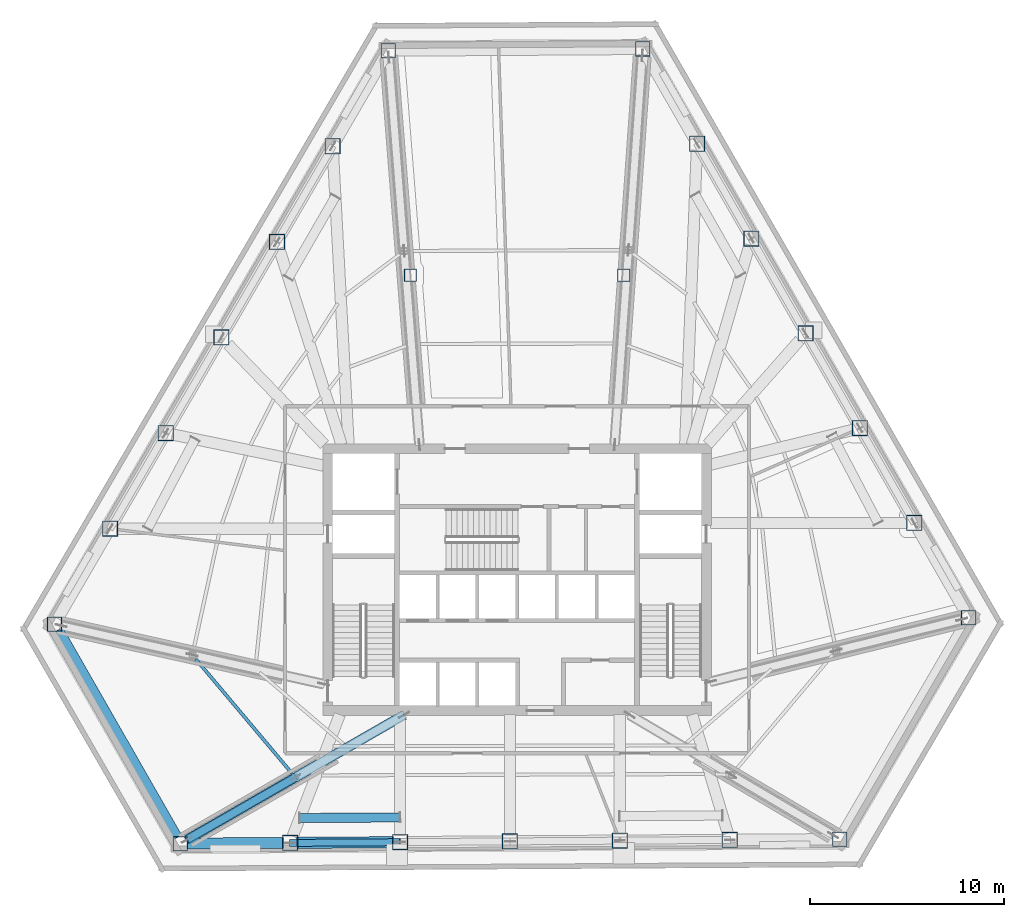
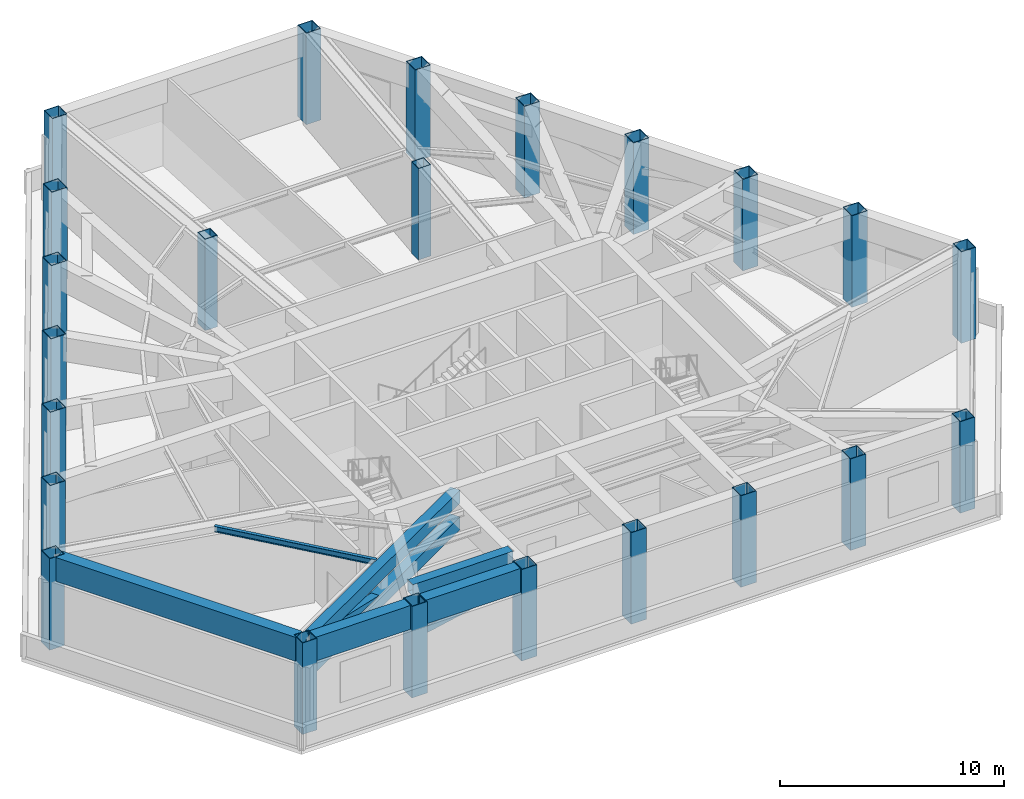
# One storey, part 1 of 12: 23 columns, 7 beams, 2 members.
"""IFC4 building model written with IfcOpenShell, lengths in metres."""

import ifcopenshell
import ifcopenshell.guid

model = None  # the IFC model being written
_history = None  # IfcOwnerHistory: only IFC2X3 demands one
_inside = {}  # id of a spatial element -> (the spatial element, [elements in it])
_under = {}  # id of a project, library or spatial element -> (it, [spatial elements below it])
_declared = {}  # id of a project -> (the project, [libraries it declares])
_typed = {}  # id of a type object -> (the type object, [elements of that type])
_made_of = {}  # id of a material, layer set ... -> (it, [elements and type objects made of it])


def new_model(schema):
    """Start an empty IFC model of exactly this schema.

    Asked for "IFC4X3", IfcOpenShell would pick the latest addendum, in which some entities
    have other attributes; the version numbers below select the first issue.
    IFC2X3 requires an IfcOwnerHistory on every rooted entity: one is made here for all.
    """
    global model, _history
    if schema == "IFC4X3":
        model = ifcopenshell.file(schema_version=(4, 3, 0, 0))
    else:
        model = ifcopenshell.file(schema=schema)
    _inside.clear()
    _under.clear()
    _declared.clear()
    _typed.clear()
    _made_of.clear()
    _history = None
    if model.schema == "IFC2X3":
        org = make("IfcOrganization", Name="unknown")
        user = make(
            "IfcPersonAndOrganization",
            ThePerson=make("IfcPerson", FamilyName="unknown"),
            TheOrganization=org,
        )
        app = make(
            "IfcApplication",
            ApplicationDeveloper=org,
            Version="unknown",
            ApplicationFullName="unknown",
            ApplicationIdentifier="unknown",
        )
        _history = make(
            "IfcOwnerHistory",
            OwningUser=user,
            OwningApplication=app,
            ChangeAction="ADDED",
            CreationDate=0,
        )
    return model


def make(cls, **values):
    """One entity of the class cls with the attributes given. An attribute that is None is left unset."""
    return model.create_entity(
        cls, **{name: value for name, value in values.items() if value is not None}
    )


def rooted(cls, **values):
    """An entity with a GlobalId (a new one), such as an element, a storey or a relation."""
    return make(cls, GlobalId=ifcopenshell.guid.new(), OwnerHistory=_history, **values)


def si_unit(unit_type, name, prefix=None):
    """IfcSIUnit, for example si_unit("LENGTHUNIT", "METRE", prefix="MILLI")."""
    return make("IfcSIUnit", UnitType=unit_type, Prefix=prefix, Name=name)


def assignment(units):
    """IfcUnitAssignment: the units of a project."""
    return None if units is None else make("IfcUnitAssignment", Units=units)


def point(xyz):
    """IfcCartesianPoint."""
    return None if xyz is None else make("IfcCartesianPoint", Coordinates=xyz)


def direction(xyz):
    """IfcDirection."""
    return None if xyz is None else make("IfcDirection", DirectionRatios=xyz)


def frame(location, z_axis=None, x_axis=None):
    """IfcAxis2Placement3D, a coordinate frame: its origin and axes. An axis left out is left unset."""
    return make(
        "IfcAxis2Placement3D",
        Location=point(location),
        Axis=direction(z_axis),
        RefDirection=direction(x_axis),
    )


def frame_2d(location, x_axis=None):
    """IfcAxis2Placement2D, a coordinate frame in the plane: its origin and x axis."""
    return make(
        "IfcAxis2Placement2D", Location=point(location), RefDirection=direction(x_axis)
    )


def origin():
    """The frame at (0, 0, 0) with its axes left unset."""
    return frame((0.0, 0.0, 0.0))


def origin_2d():
    """The frame at (0, 0) in the plane with its x axis left unset."""
    return frame_2d((0.0, 0.0))


def place(relative_to, where):
    """IfcLocalPlacement: puts the frame where relative to a parent placement (None: the world)."""
    return make(
        "IfcLocalPlacement", PlacementRelTo=relative_to, RelativePlacement=where
    )


def context(
    kind, dimensions, precision=None, world=None, true_north=None, identifier=None
):
    """IfcGeometricRepresentationContext, for example the 3D "Model" context."""
    return make(
        "IfcGeometricRepresentationContext",
        ContextIdentifier=identifier,
        ContextType=kind,
        CoordinateSpaceDimension=dimensions,
        Precision=precision,
        WorldCoordinateSystem=world,
        TrueNorth=true_north,
    )


def subcontext(parent, identifier, kind, view, scale=None):
    """IfcGeometricRepresentationSubContext, for example "Body" below "Model"."""
    return make(
        "IfcGeometricRepresentationSubContext",
        ContextIdentifier=identifier,
        ContextType=kind,
        ParentContext=parent,
        TargetScale=scale,
        TargetView=view,
    )


def project(units=None, contexts=None):
    """IfcProject with its units and contexts."""
    return rooted(
        "IfcProject",
        Name="project",
        RepresentationContexts=contexts,
        UnitsInContext=assignment(units),
    )


def spatial(cls, under=None, at=None, **own):
    """A site, building, storey or space (cls), placed at a placement, below another one or the project."""
    s = rooted(cls, ObjectPlacement=at, **own)
    if under is not None:
        _under.setdefault(under.id(), (under, []))[1].append(s)
    return s


def profile(cls, at=None, kind="AREA", **sizes):
    """A parametric profile (cls). Its sizes go by their IFC names, for example OverallWidth=200.0."""
    return make(cls, ProfileType=kind, Position=at, **sizes)


def hollow_rectangle(**sizes):
    """IfcRectangleHollowProfileDef."""
    return profile("IfcRectangleHollowProfileDef", **sizes)


def i_section(**sizes):
    """IfcIShapeProfileDef."""
    return profile("IfcIShapeProfileDef", **sizes)


def extrude(swept, where, along, depth):
    """IfcExtrudedAreaSolid: the profile swept, set in the frame where, extruded along a direction by depth."""
    return make(
        "IfcExtrudedAreaSolid",
        SweptArea=swept,
        Position=where,
        ExtrudedDirection=direction(along),
        Depth=depth,
    )


def shape(context_of_items, identifier, shape_type, items):
    """IfcShapeRepresentation: the items that make up one representation, for example the "Body"."""
    return make(
        "IfcShapeRepresentation",
        ContextOfItems=context_of_items,
        RepresentationIdentifier=identifier,
        RepresentationType=shape_type,
        Items=items,
    )


def material(Name=None, Category=None):
    """IfcMaterial."""
    return make("IfcMaterial", Name=Name, Category=Category)


def material_profile(
    of_material, cross_section, Name=None, Category=None, Priority=None
):
    """IfcMaterialProfile: a cross section and its material."""
    return make(
        "IfcMaterialProfile",
        Name=Name,
        Material=of_material,
        Profile=cross_section,
        Priority=Priority,
        Category=Category,
    )


def profile_set(profiles, Name=None, composite=None):
    """IfcMaterialProfileSet."""
    return make(
        "IfcMaterialProfileSet",
        Name=Name,
        MaterialProfiles=profiles,
        CompositeProfile=composite,
    )


def made_of(thing, what):
    """Note that an element or type object is made of a material, layer set ...; save() writes the relation."""
    if what is not None:
        _made_of.setdefault(what.id(), (what, []))[1].append(thing)
    return thing


def type_object(cls, material=None, **own):
    """A type object (cls), such as IfcWallType, which elements share."""
    return made_of(rooted(cls, **own), material)


def element(
    cls,
    number,
    at=None,
    inside=None,
    cuts=None,
    type_object=None,
    material=None,
    context=None,
    identifier="Body",
    shape_type=None,
    held_by="IfcProductDefinitionShape",
    body=None,
    shapes=None,
    **own,
):
    """One element of the class cls, such as IfcWall. Its Tag is "e" and its number.

    at: its placement. inside: the storey or other place that contains it. cuts: it is an
    opening in that element (IfcRelVoidsElement). A single representation is given by context,
    identifier, shape_type and body (its items); several are given by shapes. held_by: the class
    of the entity that holds the representations. save() writes the other relations.
    """
    e = rooted(cls, Tag="e%d" % number, ObjectPlacement=at, **own)
    if body is not None:
        shapes = [shape(context, identifier, shape_type, body)]
    if shapes is not None:
        e.Representation = make(held_by, Representations=shapes)
    if inside is not None:
        _inside.setdefault(inside.id(), (inside, []))[1].append(e)
    if cuts is not None:
        rooted(
            "IfcRelVoidsElement", RelatingBuildingElement=cuts, RelatedOpeningElement=e
        )
    if type_object is not None:
        _typed.setdefault(type_object.id(), (type_object, []))[1].append(e)
    return made_of(e, material)


def aggregate(whole, parts):
    """IfcRelAggregates: a whole, such as a stair, and the parts it consists of."""
    return rooted("IfcRelAggregates", RelatingObject=whole, RelatedObjects=parts)


def save(model, path):
    """Write the relations noted so far, then the file.

    IfcRelAggregates (storeys below a building ...), IfcRelContainedInSpatialStructure (elements
    in a storey), IfcRelDefinesByType, IfcRelAssociatesMaterial and IfcRelDeclares: one each for
    every whole, place, type object, material and project.
    """
    for whole, parts in _under.values():
        aggregate(whole, parts)
    for where, things in _inside.values():
        rooted(
            "IfcRelContainedInSpatialStructure",
            RelatedElements=things,
            RelatingStructure=where,
        )
    for kind, things in _typed.values():
        rooted("IfcRelDefinesByType", RelatedObjects=things, RelatingType=kind)
    for what, things in _made_of.values():
        rooted("IfcRelAssociatesMaterial", RelatedObjects=things, RelatingMaterial=what)
    for by, libraries in _declared.values():
        rooted("IfcRelDeclares", RelatingContext=by, RelatedDefinitions=libraries)
    model.write(path)


model = new_model("IFC4")

# Units and contexts
model_context = context("Model", 3, precision=1e-05, world=origin(), true_north=direction((0.0, 1.0)))
body_context = subcontext(model_context, "Body", "Model", "MODEL_VIEW")
ifc_project = project(units=[si_unit("LENGTHUNIT", "METRE"), si_unit("AREAUNIT", "SQUARE_METRE"), si_unit("VOLUMEUNIT", "CUBIC_METRE"), si_unit("PLANEANGLEUNIT", "RADIAN"), si_unit("MASSUNIT", "GRAM", prefix="KILO")], contexts=[model_context])

# Site, building, storey
site_placement = place(None, origin())
site = spatial("IfcSite", under=ifc_project, at=site_placement, CompositionType="ELEMENT")
building_placement = place(site_placement, origin())
building = spatial("IfcBuilding", under=site, at=building_placement, Name="Kavelnor Concourse Tower", CompositionType="ELEMENT")
storey_placement = place(building_placement, frame((0.0, 0.0, 75.300048828125)))
storey = spatial("IfcBuildingStorey", under=building, at=storey_placement, Name="L19", CompositionType="ELEMENT", Elevation=75.300048828125)

# Columns
ifc_material = material(Name="Steel Grade 350", Category="steel")
ifc_material_profile_1 = material_profile(ifc_material, hollow_rectangle(XDim=0.760009765625, YDim=0.760009765625, WallThickness=0.034912109375, at=origin_2d()), Name="SHS 760x760x35")
ifc_profile_set_1 = profile_set([ifc_material_profile_1], Name="Steel Grade 350")
column_type_1 = type_object("IfcColumnType", Name="COL-FOLD-Z1", PredefinedType="COLUMN", material=ifc_profile_set_1)
for number, where, z_axis, x_axis, name in (
    (1, (31.35498046875, 43.387939453125, 0.0), (0.0, 0.0, 1.0), (1.0, 0.0, 0.0), "L19 Perimeter Corner-Fold Column F0-B0"),
    (2, (14.1376953125, 13.80029296875, 0.0), (0.0, 0.0, 1.0), (1.0, 0.0, 0.0), "L19 Perimeter Corner-Fold Column F0-B6"),
    (3, (20.620361328125, 2.482421875, 0.0), (0.0, 0.0, 1.0), (1.0, 0.0, 0.0), "L19 Perimeter Corner-Fold Column F1-B0"),
    (4, (54.643798828125, 2.7158203125, 0.0), (0.0, 0.0, 1.0), (1.0, 0.0, 0.0), "L19 Perimeter Corner-Fold Column F1-B6"),
    (5, (61.288818359375, 14.13525390625, 0.0), (0.0, 0.0, 1.0), (1.0, 0.0, 0.0), "L19 Perimeter Corner-Fold Column F2-B0"),
    (6, (44.482421875, 43.47802734375, 0.0), (0.0, 0.0, 1.0), (1.0, 0.0, 0.0), "L19 Perimeter Corner-Fold Column F2-B6"),
):
    element("IfcColumn", number, at=place(storey_placement, frame(where, z_axis=z_axis, x_axis=x_axis)), inside=storey, type_object=column_type_1, Name=name, PredefinedType="COLUMN", context=body_context, shape_type="SweptSolid", body=[
        extrude(hollow_rectangle(XDim=0.760009765625, YDim=0.760009765625, WallThickness=0.034912109375, at=origin_2d()), origin(), (0.0, 0.0, 1.0), 4.98486328125),
    ])
ifc_material_profile_2 = material_profile(ifc_material, hollow_rectangle(XDim=0.800048828125, YDim=0.800048828125, WallThickness=0.035888671875, at=origin_2d()), Name="SHS 800x800x36")
ifc_profile_set_2 = profile_set([ifc_material_profile_2], Name="Steel Grade 350")
column_type_2 = type_object("IfcColumnType", Name="COL-TUBE-Z1", PredefinedType="COLUMN", material=ifc_profile_set_2)
for number, where, z_axis, x_axis, name in (
    (7, (28.485595703125, 38.456787109375, 0.0), (0.0, 0.0, 1.0), (1.0, 0.0, 0.0), "L19 Perimeter Framed-Tube Column F0-B1"),
    (8, (25.615966796875, 33.525390625, 0.0), (0.0, 0.0, 1.0), (1.0, 0.0, 0.0), "L19 Perimeter Framed-Tube Column F0-B2"),
    (9, (22.746337890625, 28.59423828125, 0.0), (0.0, 0.0, 1.0), (1.0, 0.0, 0.0), "L19 Perimeter Framed-Tube Column F0-B3"),
    (10, (19.876953125, 23.662841796875, 0.0), (0.0, 0.0, 1.0), (1.0, 0.0, 0.0), "L19 Perimeter Framed-Tube Column F0-B4"),
    (11, (17.00732421875, 18.731689453125, 0.0), (0.0, 0.0, 1.0), (1.0, 0.0, 0.0), "L19 Perimeter Framed-Tube Column F0-B5"),
    (12, (26.291015625, 2.521240234375, 0.0), (0.0, 0.0, 1.0), (1.0, 0.0, 0.0), "L19 Perimeter Framed-Tube Column F1-B1"),
    (13, (31.96142578125, 2.560302734375, 0.0), (0.0, 0.0, 1.0), (1.0, 0.0, 0.0), "L19 Perimeter Framed-Tube Column F1-B2"),
    (14, (37.632080078125, 2.59912109375, 0.0), (0.0, 0.0, 1.0), (1.0, 0.0, 0.0), "L19 Perimeter Framed-Tube Column F1-B3"),
    (15, (43.302490234375, 2.637939453125, 0.0), (0.0, 0.0, 1.0), (1.0, 0.0, 0.0), "L19 Perimeter Framed-Tube Column F1-B4"),
    (16, (48.97314453125, 2.677001953125, 0.0), (0.0, 0.0, 1.0), (1.0, 0.0, 0.0), "L19 Perimeter Framed-Tube Column F1-B5"),
    (17, (58.48779296875, 19.025634765625, 0.0), (0.0, 0.0, 1.0), (1.0, 0.0, 0.0), "L19 Perimeter Framed-Tube Column F2-B1"),
    (18, (55.686767578125, 23.916259765625, 0.0), (0.0, 0.0, 1.0), (1.0, 0.0, 0.0), "L19 Perimeter Framed-Tube Column F2-B2"),
    (19, (52.8857421875, 28.806640625, 0.0), (0.0, 0.0, 1.0), (1.0, 0.0, 0.0), "L19 Perimeter Framed-Tube Column F2-B3"),
    (20, (50.084716796875, 33.697021484375, 0.0), (0.0, 0.0, 1.0), (1.0, 0.0, 0.0), "L19 Perimeter Framed-Tube Column F2-B4"),
    (21, (47.28369140625, 38.587646484375, 0.0), (0.0, 0.0, 1.0), (1.0, 0.0, 0.0), "L19 Perimeter Framed-Tube Column F2-B5"),
):
    element("IfcColumn", number, at=place(storey_placement, frame(where, z_axis=z_axis, x_axis=x_axis)), inside=storey, type_object=column_type_2, Name=name, PredefinedType="COLUMN", context=body_context, shape_type="SweptSolid", body=[
        extrude(hollow_rectangle(XDim=0.800048828125, YDim=0.800048828125, WallThickness=0.035888671875, at=origin_2d()), origin(), (0.0, 0.0, 1.0), 4.98486328125),
    ])
ifc_material_profile_3 = material_profile(ifc_material, hollow_rectangle(XDim=0.639892578125, YDim=0.639892578125, WallThickness=0.028076171875, at=origin_2d()), Name="SHS 640x640x28")
ifc_profile_set_3 = profile_set([ifc_material_profile_3], Name="Steel Grade 350")
column_type_3 = type_object("IfcColumnType", Name="COL-TUBE-Z3", PredefinedType="COLUMN", material=ifc_profile_set_3)
for number, where, z_axis, x_axis, name in (
    (22, (32.5, 31.800048828125, 0.0), (0.0, 0.0, 1.0), (1.0, 0.0, 0.0), "L19 North Interior Gravity Column BC-NW"),
    (23, (43.5, 31.800048828125, 0.0), (0.0, 0.0, 1.0), (1.0, 0.0, 0.0), "L19 North Interior Gravity Column BC-NE"),
):
    element("IfcColumn", number, at=place(storey_placement, frame(where, z_axis=z_axis, x_axis=x_axis)), inside=storey, type_object=column_type_3, Name=name, PredefinedType="COLUMN", context=body_context, shape_type="SweptSolid", body=[
        extrude(hollow_rectangle(XDim=0.639892578125, YDim=0.639892578125, WallThickness=0.028076171875, at=origin_2d()), origin(), (0.0, 0.0, 1.0), 4.98486328125),
    ])

# Beams
ifc_material_profile_4 = material_profile(ifc_material, hollow_rectangle(XDim=0.47998046875, YDim=0.64990234375, WallThickness=0.030029296875, at=origin_2d()), Name="RHS 650x480x30")
ifc_profile_set_4 = profile_set([ifc_material_profile_4], Name="Steel Grade 350")
beam_type_1 = type_object("IfcBeamType", Name="BM-BELT-CHORD-650", PredefinedType="BEAM", material=ifc_profile_set_4)
beam_1_placement = place(storey_placement, frame((26.787841796875, 3.804931640625, 4.659912109375), z_axis=(0.999981757886, 0.00604018994, 0.0), x_axis=(-0.00604018994, 0.999981757886, 0.0)))
element("IfcBeam", 24, at=beam_1_placement, inside=storey, type_object=beam_type_1, Name="L19 Perimeter Belt Truss Chord F1-B1", PredefinedType="BEAM", context=body_context, shape_type="SweptSolid", body=[
    extrude(hollow_rectangle(XDim=0.47998046875, YDim=0.64990234375, WallThickness=0.030029296875, at=origin_2d()), origin(), (0.0, 0.0, 1.0), 5.173583984375),
])
ifc_material_profile_5 = material_profile(ifc_material, i_section(OverallWidth=0.166015625, OverallDepth=0.306884765625, WebThickness=0.006591796875, FlangeThickness=0.01171875, at=origin_2d()), Name="310UB46")
ifc_profile_set_5 = profile_set([ifc_material_profile_5], Name="Steel Grade 350")
beam_type_2 = type_object("IfcBeamType", Name="BM-JOIST-310", PredefinedType="JOIST", material=ifc_profile_set_5)
beam_2_placement = place(storey_placement, frame((21.431884765625, 11.99951171875, 4.83154296875), z_axis=(0.643931337053, -0.765083285115, 0.0), x_axis=(0.765083285115, 0.643931337053, 0.0)))
element("IfcBeam", 25, at=beam_2_placement, inside=storey, type_object=beam_type_2, Name="L19 Secondary Composite Joist 01-2", PredefinedType="JOIST", context=body_context, shape_type="SweptSolid", body=[
    extrude(i_section(OverallWidth=0.166015625, OverallDepth=0.306884765625, WebThickness=0.006591796875, FlangeThickness=0.01171875, at=origin_2d()), origin(), (0.0, 0.0, 1.0), 7.687744140625),
])
ifc_material_profile_6 = material_profile(ifc_material, hollow_rectangle(XDim=0.5, YDim=0.699951171875, WallThickness=0.031982421875, at=origin_2d()), Name="RHS 700x500x32")
ifc_profile_set_6 = profile_set([ifc_material_profile_6], Name="Steel Grade 350")
beam_type_3 = type_object("IfcBeamType", Name="BM-OUTRIG-CHORD-700", PredefinedType="BEAM", material=ifc_profile_set_6)
for number, where, z_axis, x_axis, name in (
    (26, (32.1650390625, 9.119873046875, 3.179931640625), (-0.866930597555, -0.498428870576, 0.0), (0.498428870576, -0.866930597555, 0.0), "L19 Outrigger Truss Bottom Chord F1A"),
    (27, (32.1650390625, 9.119873046875, 4.625), (-0.866930597555, -0.498428870576, 0.0), (0.498428870576, -0.866930597555, 0.0), "L19 Outrigger Truss Top Chord F1A"),
):
    element("IfcBeam", number, at=place(storey_placement, frame(where, z_axis=z_axis, x_axis=x_axis)), inside=storey, type_object=beam_type_3, Name=name, PredefinedType="BEAM", context=body_context, shape_type="SweptSolid", body=[
        extrude(hollow_rectangle(XDim=0.5, YDim=0.699951171875, WallThickness=0.031982421875, at=origin_2d()), origin(), (0.0, 0.0, 1.0), 12.91845703125),
    ])
ifc_material_profile_7 = material_profile(ifc_material, hollow_rectangle(XDim=0.580078125, YDim=1.300048828125, WallThickness=0.0400390625, at=origin_2d()), Name="RHS 1300x580x40")
ifc_profile_set_7 = profile_set([ifc_material_profile_7], Name="Steel Grade 350")
beam_type_4 = type_object("IfcBeamType", Name="BM-SETBACK-XFER-1350", PredefinedType="BEAM", material=ifc_profile_set_7)
for number, where, z_axis, x_axis, name in (
    (28, (20.96533203125, 2.48486328125, 4.3349609375), (0.999976787381, 0.006813567326, 0.0), (-0.006813567326, 0.999976787381, 0.0), "L19 Perimeter Tube Spandrel Beam F1-B0"),
    (29, (26.635986328125, 2.523681640625, 4.3349609375), (0.999976452197, 0.006862583495, 0.0), (-0.006862583495, 0.999976452197, 0.0), "L19 Perimeter Tube Spandrel Beam F1-B1"),
):
    element("IfcBeam", number, at=place(storey_placement, frame(where, z_axis=z_axis, x_axis=x_axis)), inside=storey, type_object=beam_type_4, Name=name, PredefinedType="BEAM", context=body_context, shape_type="SweptSolid", body=[
        extrude(hollow_rectangle(XDim=0.580078125, YDim=1.300048828125, WallThickness=0.0400390625, at=origin_2d()), origin(), (0.0, 0.0, 1.0), 4.98046875),
    ])
beam_3_placement = place(storey_placement, frame((14.309326171875, 13.5009765625, 4.3349609375), z_axis=(0.497000700308, -0.867750139091, 0.0), x_axis=(0.867750139091, 0.497000700308, 0.0)))
element("IfcBeam", 30, at=beam_3_placement, inside=storey, type_object=beam_type_4, Name="L19 Chamfer Facet Spandrel Beam C1", PredefinedType="BEAM", context=body_context, shape_type="SweptSolid", body=[
    extrude(hollow_rectangle(XDim=0.580078125, YDim=1.300048828125, WallThickness=0.0400390625, at=origin_2d()), origin(), (0.0, 0.0, 1.0), 12.35302734375),
])

# Members
ifc_material_profile_8 = material_profile(ifc_material, hollow_rectangle(XDim=0.360107421875, YDim=0.360107421875, WallThickness=0.02197265625, at=origin_2d()), Name="SHS 360x360x22")
ifc_profile_set_8 = profile_set([ifc_material_profile_8], Name="Steel Grade 350")
member_type_1 = type_object("IfcMemberType", Name="MBR-BELT-DIAG-360", PredefinedType="BRACE", material=ifc_profile_set_8)
member_1_placement = place(storey_placement, frame((26.291015625, 2.521240234375, 3.179931640625), z_axis=(0.979856058834, 0.006750063266, 0.199590933193), x_axis=(-0.00688866803, 0.999976272845, 0.0)))
element("IfcMember", 31, at=member_1_placement, inside=storey, type_object=member_type_1, Name="L19 Perimeter Belt Truss Diagonal F1-B1", PredefinedType="BRACE", context=body_context, shape_type="SweptSolid", body=[
    extrude(hollow_rectangle(XDim=0.360107421875, YDim=0.360107421875, WallThickness=0.02197265625, at=origin_2d()), origin(), (0.0, 0.0, 1.0), 5.786865234375),
])
ifc_material_profile_9 = material_profile(ifc_material, hollow_rectangle(XDim=0.39990234375, YDim=0.39990234375, WallThickness=0.02490234375, at=origin_2d()), Name="SHS 400x400x25")
ifc_profile_set_9 = profile_set([ifc_material_profile_9], Name="Steel Grade 350")
member_type_2 = type_object("IfcMemberType", Name="MBR-OUTRIG-DIAG-400", PredefinedType="BRACE", material=ifc_profile_set_9)
member_2_placement = place(storey_placement, frame((26.565185546875, 5.900390625, 3.179931640625), z_axis=(-0.846011924439, -0.486412593633, 0.218326847783), x_axis=(0.498437036788, -0.866925902461, 0.0)))
element("IfcMember", 32, at=member_2_placement, inside=storey, type_object=member_type_2, Name="L19 Outrigger Truss Outer Diagonal F1A", PredefinedType="BRACE", context=body_context, shape_type="SweptSolid", body=[
    extrude(hollow_rectangle(XDim=0.39990234375, YDim=0.39990234375, WallThickness=0.02490234375, at=origin_2d()), origin(), (0.0, 0.0, 1.0), 6.618896484375),
])

save(model, "model.ifc")
